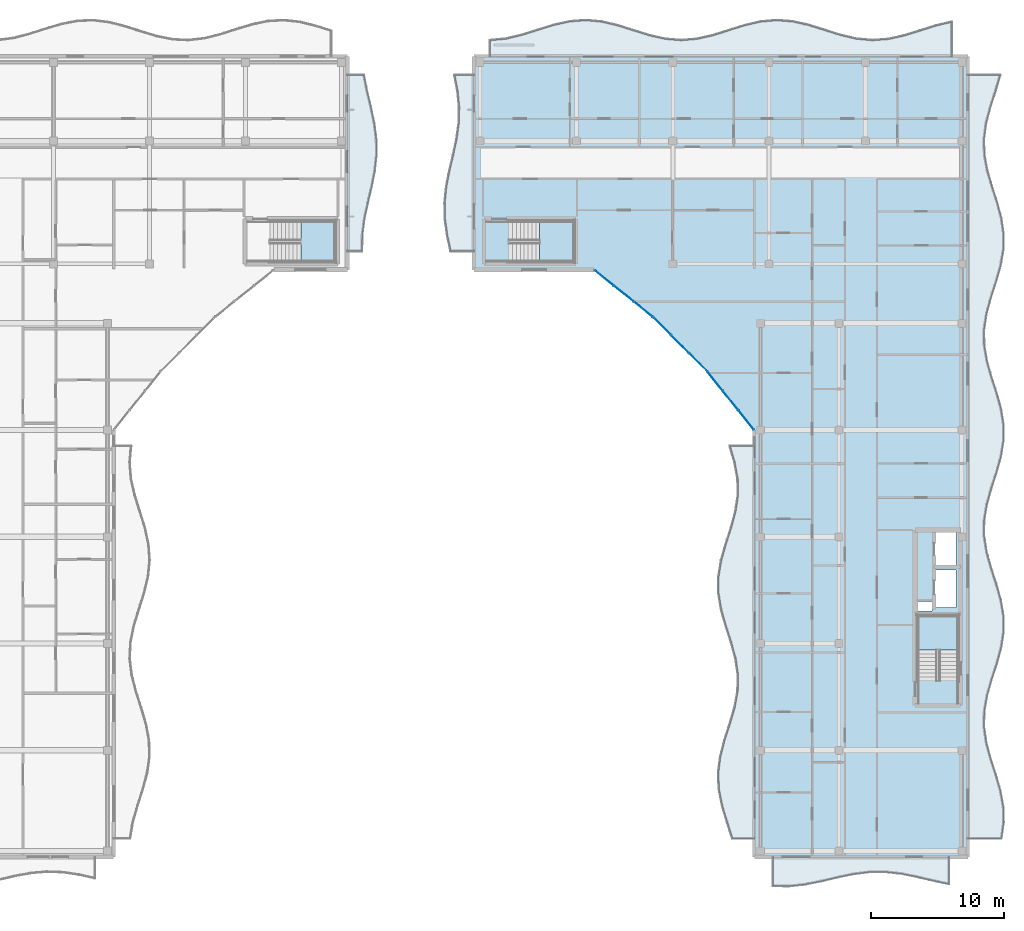
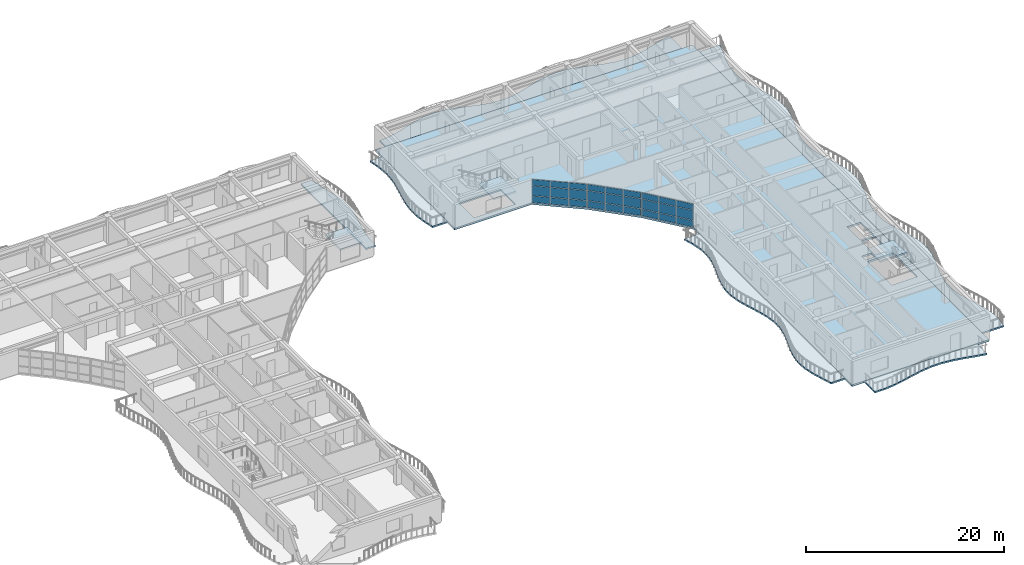
# One storey, part 29 of 76: 27 plates, 10 slabs, 6 elements without a shape of their own.
"""IFC4 building model written with IfcOpenShell, lengths in metres."""

import ifcopenshell
import ifcopenshell.guid

model = None  # the IFC model being written
_history = None  # IfcOwnerHistory: only IFC2X3 demands one
_inside = {}  # id of a spatial element -> (the spatial element, [elements in it])
_under = {}  # id of a project, library or spatial element -> (it, [spatial elements below it])
_declared = {}  # id of a project -> (the project, [libraries it declares])
_typed = {}  # id of a type object -> (the type object, [elements of that type])
_made_of = {}  # id of a material, layer set ... -> (it, [elements and type objects made of it])


def new_model(schema):
    """Start an empty IFC model of exactly this schema.

    Asked for "IFC4X3", IfcOpenShell would pick the latest addendum, in which some entities
    have other attributes; the version numbers below select the first issue.
    IFC2X3 requires an IfcOwnerHistory on every rooted entity: one is made here for all.
    """
    global model, _history
    if schema == "IFC4X3":
        model = ifcopenshell.file(schema_version=(4, 3, 0, 0))
    else:
        model = ifcopenshell.file(schema=schema)
    _inside.clear()
    _under.clear()
    _declared.clear()
    _typed.clear()
    _made_of.clear()
    _history = None
    if model.schema == "IFC2X3":
        org = make("IfcOrganization", Name="unknown")
        user = make(
            "IfcPersonAndOrganization",
            ThePerson=make("IfcPerson", FamilyName="unknown"),
            TheOrganization=org,
        )
        app = make(
            "IfcApplication",
            ApplicationDeveloper=org,
            Version="unknown",
            ApplicationFullName="unknown",
            ApplicationIdentifier="unknown",
        )
        _history = make(
            "IfcOwnerHistory",
            OwningUser=user,
            OwningApplication=app,
            ChangeAction="ADDED",
            CreationDate=0,
        )
    return model


def make(cls, **values):
    """One entity of the class cls with the attributes given. An attribute that is None is left unset."""
    return model.create_entity(
        cls, **{name: value for name, value in values.items() if value is not None}
    )


def rooted(cls, **values):
    """An entity with a GlobalId (a new one), such as an element, a storey or a relation."""
    return make(cls, GlobalId=ifcopenshell.guid.new(), OwnerHistory=_history, **values)


def si_unit(unit_type, name, prefix=None):
    """IfcSIUnit, for example si_unit("LENGTHUNIT", "METRE", prefix="MILLI")."""
    return make("IfcSIUnit", UnitType=unit_type, Prefix=prefix, Name=name)


def assignment(units):
    """IfcUnitAssignment: the units of a project."""
    return None if units is None else make("IfcUnitAssignment", Units=units)


def point(xyz):
    """IfcCartesianPoint."""
    return None if xyz is None else make("IfcCartesianPoint", Coordinates=xyz)


def direction(xyz):
    """IfcDirection."""
    return None if xyz is None else make("IfcDirection", DirectionRatios=xyz)


def frame(location, z_axis=None, x_axis=None):
    """IfcAxis2Placement3D, a coordinate frame: its origin and axes. An axis left out is left unset."""
    return make(
        "IfcAxis2Placement3D",
        Location=point(location),
        Axis=direction(z_axis),
        RefDirection=direction(x_axis),
    )


def frame_2d(location, x_axis=None):
    """IfcAxis2Placement2D, a coordinate frame in the plane: its origin and x axis."""
    return make(
        "IfcAxis2Placement2D", Location=point(location), RefDirection=direction(x_axis)
    )


def origin():
    """The frame at (0, 0, 0) with its axes left unset."""
    return frame((0.0, 0.0, 0.0))


def origin_2d():
    """The frame at (0, 0) in the plane with its x axis left unset."""
    return frame_2d((0.0, 0.0))


def place(relative_to, where):
    """IfcLocalPlacement: puts the frame where relative to a parent placement (None: the world)."""
    return make(
        "IfcLocalPlacement", PlacementRelTo=relative_to, RelativePlacement=where
    )


def context(
    kind, dimensions, precision=None, world=None, true_north=None, identifier=None
):
    """IfcGeometricRepresentationContext, for example the 3D "Model" context."""
    return make(
        "IfcGeometricRepresentationContext",
        ContextIdentifier=identifier,
        ContextType=kind,
        CoordinateSpaceDimension=dimensions,
        Precision=precision,
        WorldCoordinateSystem=world,
        TrueNorth=true_north,
    )


def subcontext(parent, identifier, kind, view, scale=None):
    """IfcGeometricRepresentationSubContext, for example "Body" below "Model"."""
    return make(
        "IfcGeometricRepresentationSubContext",
        ContextIdentifier=identifier,
        ContextType=kind,
        ParentContext=parent,
        TargetScale=scale,
        TargetView=view,
    )


def project(units=None, contexts=None):
    """IfcProject with its units and contexts."""
    return rooted(
        "IfcProject",
        Name="project",
        RepresentationContexts=contexts,
        UnitsInContext=assignment(units),
    )


def spatial(cls, under=None, at=None, **own):
    """A site, building, storey or space (cls), placed at a placement, below another one or the project."""
    s = rooted(cls, ObjectPlacement=at, **own)
    if under is not None:
        _under.setdefault(under.id(), (under, []))[1].append(s)
    return s


def polyline(points):
    """IfcPolyline through the points."""
    return make("IfcPolyline", Points=[point(p) for p in points])


def profile(cls, at=None, kind="AREA", **sizes):
    """A parametric profile (cls). Its sizes go by their IFC names, for example OverallWidth=200.0."""
    return make(cls, ProfileType=kind, Position=at, **sizes)


def rectangle(**sizes):
    """IfcRectangleProfileDef."""
    return profile("IfcRectangleProfileDef", **sizes)


def outline(outer, holes=None, kind="AREA"):
    """IfcArbitraryClosedProfileDef: a profile drawn as a closed curve; with holes, ...WithVoids."""
    if holes is None:
        return make("IfcArbitraryClosedProfileDef", ProfileType=kind, OuterCurve=outer)
    return make(
        "IfcArbitraryProfileDefWithVoids",
        ProfileType=kind,
        OuterCurve=outer,
        InnerCurves=holes,
    )


def extrude(swept, where, along, depth):
    """IfcExtrudedAreaSolid: the profile swept, set in the frame where, extruded along a direction by depth."""
    return make(
        "IfcExtrudedAreaSolid",
        SweptArea=swept,
        Position=where,
        ExtrudedDirection=direction(along),
        Depth=depth,
    )


def shape(context_of_items, identifier, shape_type, items):
    """IfcShapeRepresentation: the items that make up one representation, for example the "Body"."""
    return make(
        "IfcShapeRepresentation",
        ContextOfItems=context_of_items,
        RepresentationIdentifier=identifier,
        RepresentationType=shape_type,
        Items=items,
    )


def material(Name=None, Category=None):
    """IfcMaterial."""
    return make("IfcMaterial", Name=Name, Category=Category)


def layer(
    of_material, thickness, ventilated=None, Name=None, Category=None, Priority=None
):
    """IfcMaterialLayer: one layer of a wall or slab, of a material (None: an air gap)."""
    return make(
        "IfcMaterialLayer",
        Material=of_material,
        LayerThickness=thickness,
        IsVentilated=ventilated,
        Name=Name,
        Category=Category,
        Priority=Priority,
    )


def layer_set(layers, Name=None):
    """IfcMaterialLayerSet."""
    return make("IfcMaterialLayerSet", MaterialLayers=layers, LayerSetName=Name)


def made_of(thing, what):
    """Note that an element or type object is made of a material, layer set ...; save() writes the relation."""
    if what is not None:
        _made_of.setdefault(what.id(), (what, []))[1].append(thing)
    return thing


def type_object(cls, material=None, **own):
    """A type object (cls), such as IfcWallType, which elements share."""
    return made_of(rooted(cls, **own), material)


def element(
    cls,
    number,
    at=None,
    inside=None,
    cuts=None,
    type_object=None,
    material=None,
    context=None,
    identifier="Body",
    shape_type=None,
    held_by="IfcProductDefinitionShape",
    body=None,
    shapes=None,
    **own,
):
    """One element of the class cls, such as IfcWall. Its Tag is "e" and its number.

    at: its placement. inside: the storey or other place that contains it. cuts: it is an
    opening in that element (IfcRelVoidsElement). A single representation is given by context,
    identifier, shape_type and body (its items); several are given by shapes. held_by: the class
    of the entity that holds the representations. save() writes the other relations.
    """
    e = rooted(cls, Tag="e%d" % number, ObjectPlacement=at, **own)
    if body is not None:
        shapes = [shape(context, identifier, shape_type, body)]
    if shapes is not None:
        e.Representation = make(held_by, Representations=shapes)
    if inside is not None:
        _inside.setdefault(inside.id(), (inside, []))[1].append(e)
    if cuts is not None:
        rooted(
            "IfcRelVoidsElement", RelatingBuildingElement=cuts, RelatedOpeningElement=e
        )
    if type_object is not None:
        _typed.setdefault(type_object.id(), (type_object, []))[1].append(e)
    return made_of(e, material)


def aggregate(whole, parts):
    """IfcRelAggregates: a whole, such as a stair, and the parts it consists of."""
    return rooted("IfcRelAggregates", RelatingObject=whole, RelatedObjects=parts)


def save(model, path):
    """Write the relations noted so far, then the file.

    IfcRelAggregates (storeys below a building ...), IfcRelContainedInSpatialStructure (elements
    in a storey), IfcRelDefinesByType, IfcRelAssociatesMaterial and IfcRelDeclares: one each for
    every whole, place, type object, material and project.
    """
    for whole, parts in _under.values():
        aggregate(whole, parts)
    for where, things in _inside.values():
        rooted(
            "IfcRelContainedInSpatialStructure",
            RelatedElements=things,
            RelatingStructure=where,
        )
    for kind, things in _typed.values():
        rooted("IfcRelDefinesByType", RelatedObjects=things, RelatingType=kind)
    for what, things in _made_of.values():
        rooted("IfcRelAssociatesMaterial", RelatedObjects=things, RelatingMaterial=what)
    for by, libraries in _declared.values():
        rooted("IfcRelDeclares", RelatingContext=by, RelatedDefinitions=libraries)
    model.write(path)


model = new_model("IFC4")

# Units and contexts
model_context = context("Model", 3, precision=1e-05, world=origin(), true_north=direction((0.0, 1.0)))
body_context = subcontext(model_context, "Body", "Model", "MODEL_VIEW")
ifc_project = project(units=[si_unit("LENGTHUNIT", "METRE"), si_unit("AREAUNIT", "SQUARE_METRE"), si_unit("VOLUMEUNIT", "CUBIC_METRE"), si_unit("PLANEANGLEUNIT", "RADIAN"), si_unit("MASSUNIT", "GRAM", prefix="KILO")], contexts=[model_context])

# Site, building, storey
site_placement = place(None, origin())
site = spatial("IfcSite", under=ifc_project, at=site_placement, CompositionType="ELEMENT")
building_placement = place(site_placement, origin())
building = spatial("IfcBuilding", under=site, at=building_placement, Name="Keldmere Railside Commons", CompositionType="ELEMENT")
storey_placement = place(building_placement, frame((0.0, 0.0, 13.760009765625)))
storey = spatial("IfcBuildingStorey", under=building, at=storey_placement, Name="L04", CompositionType="ELEMENT", Elevation=13.760009765625)

# Stair, slab
ifc_material_1 = material(Name="Concrete H-30 (C30/37)", Category="concrete")
stair_type_1 = type_object("IfcStairType", Name="Basement Garage Dogleg Escape Stair 1450", PredefinedType="HALF_TURN_STAIR", material=ifc_material_1)
stair_1_placement = place(storey_placement, origin())
stair_1 = element("IfcStair", 1, at=stair_1_placement, inside=storey, type_object=stair_type_1, Name="L04 Block B Secondary Escape Stair 2", PredefinedType="HALF_TURN_STAIR")
ifc_layer_1 = layer(ifc_material_1, 0.199951171875, Name="Enclosed Stair Landing Slab 200")
ifc_layer_set_1 = layer_set([ifc_layer_1], Name="Concrete H-30 (C30/37)")
slab_type_1 = type_object("IfcSlabType", Name="Enclosed Stair Landing Slab 200", PredefinedType="LANDING", material=ifc_layer_set_1)
slab_1_placement = place(storey_placement, frame((0.0, 0.0, 1.39990234375)))
slab_1 = element("IfcSlab", 2, at=slab_1_placement, type_object=slab_type_1, Name="ST-B2 landing 1", PredefinedType="LANDING", context=body_context, shape_type="SweptSolid", body=[
    extrude(outline(polyline([(134.02001953125, 100.60009765625), (136.60009765625, 100.60009765625), (136.60009765625, 103.64990234375), (134.02001953125, 103.64990234375), (134.02001953125, 100.60009765625)])), origin(), (0.0, 0.0, 1.0), 0.2001953125),
])
aggregate(stair_1, [slab_1])

stair_type_2 = type_object("IfcStairType", Name="Residential Core Dogleg Stair 1450", PredefinedType="HALF_TURN_STAIR", material=ifc_material_1)
stair_2_placement = place(storey_placement, origin())
stair_2 = element("IfcStair", 3, at=stair_2_placement, inside=storey, type_object=stair_type_2, Name="L04 Block A Primary Escape Stair 1", PredefinedType="HALF_TURN_STAIR")
slab_2_placement = place(storey_placement, frame((0.0, 0.0, 1.39990234375)))
slab_2 = element("IfcSlab", 4, at=slab_2_placement, type_object=slab_type_1, Name="ST-A1 landing 1", PredefinedType="LANDING", context=body_context, shape_type="SweptSolid", body=[
    extrude(outline(polyline([(183.300048828125, 71.52001953125), (183.300048828125, 74.10009765625), (180.25, 74.10009765625), (180.25, 71.52001953125), (183.300048828125, 71.52001953125)])), origin(), (0.0, 0.0, 1.0), 0.2001953125),
])
aggregate(stair_2, [slab_2])

stair_3_placement = place(storey_placement, origin())
stair_3 = element("IfcStair", 5, at=stair_3_placement, inside=storey, type_object=stair_type_2, Name="L04 Block A Secondary Escape Stair 2", PredefinedType="HALF_TURN_STAIR")
slab_3_placement = place(storey_placement, frame((0.0, 0.0, 1.39990234375)))
slab_3 = element("IfcSlab", 6, at=slab_3_placement, type_object=slab_type_1, Name="ST-A2 landing 1", PredefinedType="LANDING", context=body_context, shape_type="SweptSolid", body=[
    extrude(outline(polyline([(151.919921875, 100.60009765625), (154.5, 100.60009765625), (154.5, 103.64990234375), (151.919921875, 103.64990234375), (151.919921875, 100.60009765625)])), origin(), (0.0, 0.0, 1.0), 0.2001953125),
])
aggregate(stair_3, [slab_3])

# Curtain wall, plates
ifc_material_2 = material(Name="Thermally Broken Aluminium", Category="aluminium")
ifc_layer_2 = layer(ifc_material_2, 0.159912109375, Name="Court Chord Wintergarden CW 4800x2850")
ifc_layer_set_2 = layer_set([ifc_layer_2], Name="Thermally Broken Aluminium")
curtain_wall_type_1 = type_object("IfcCurtainWallType", Name="Court Chord Wintergarden CW 4800x2850", PredefinedType="NOTDEFINED", material=ifc_layer_set_2)
curtain_wall_1_placement = place(storey_placement, origin())
curtain_wall_1 = element("IfcCurtainWall", 7, at=curtain_wall_1_placement, inside=storey, type_object=curtain_wall_type_1, Name="CW-12 CW-L04-170", PredefinedType="NOTDEFINED")
ifc_material_3 = material(Name="Insulated Aluminium Spandrel Panel", Category="aluminium")
ifc_layer_3 = layer(ifc_material_3, 0.0439453125, Name="Insulated Ocher Spandrel Panel 44")
ifc_layer_set_3 = layer_set([ifc_layer_3], Name="Insulated Aluminium Spandrel Panel")
plate_type_1 = type_object("IfcPlateType", Name="Insulated Ocher Spandrel Panel 44", PredefinedType="CURTAIN_PANEL", material=ifc_layer_set_3)
plate_1_placement = place(storey_placement, frame((163.76513671875, 93.11083984375, 0.06494140625), z_axis=(0.0, 0.0, 1.0), x_axis=(-0.707106781187, 0.707106781187, 0.0)))
plate_1 = element("IfcPlate", 8, at=plate_1_placement, type_object=plate_type_1, Name="CW-12 panel 1.1", PredefinedType="CURTAIN_PANEL", context=body_context, shape_type="SweptSolid", body=[
    extrude(rectangle(XDim=1.795654296875, YDim=0.0439453125, at=origin_2d()), origin(), (0.0, 0.0, 1.0), 0.802490234375),
])
plate_2_placement = place(storey_placement, frame((163.76513671875, 93.11083984375, 0.932373046875), z_axis=(0.0, 0.0, 1.0), x_axis=(-0.707106781187, 0.707106781187, 0.0)))
plate_2 = element("IfcPlate", 9, at=plate_2_placement, type_object=plate_type_1, Name="CW-12 panel 1.2", PredefinedType="CURTAIN_PANEL", context=body_context, shape_type="SweptSolid", body=[
    extrude(rectangle(XDim=1.795654296875, YDim=0.0439453125, at=origin_2d()), origin(), (0.0, 0.0, 1.0), 1.18505859375),
])
plate_3_placement = place(storey_placement, frame((163.76513671875, 93.11083984375, 2.1826171875), z_axis=(0.0, 0.0, 1.0), x_axis=(-0.707106781187, 0.707106781187, 0.0)))
plate_3 = element("IfcPlate", 10, at=plate_3_placement, type_object=plate_type_1, Name="CW-12 panel 1.3", PredefinedType="CURTAIN_PANEL", context=body_context, shape_type="SweptSolid", body=[
    extrude(rectangle(XDim=1.795654296875, YDim=0.0439453125, at=origin_2d()), origin(), (0.0, 0.0, 1.0), 0.732421875),
])
plate_4_placement = place(storey_placement, frame((162.43798828125, 94.43798828125, 0.06494140625), z_axis=(0.0, 0.0, 1.0), x_axis=(-0.707106781187, 0.707106781187, 0.0)))
plate_4 = element("IfcPlate", 11, at=plate_4_placement, type_object=plate_type_1, Name="CW-12 panel 2.1", PredefinedType="CURTAIN_PANEL", context=body_context, shape_type="SweptSolid", body=[
    extrude(rectangle(XDim=1.828125, YDim=0.0439453125, at=origin_2d()), origin(), (0.0, 0.0, 1.0), 0.802490234375),
])
plate_5_placement = place(storey_placement, frame((162.43798828125, 94.43798828125, 0.932373046875), z_axis=(0.0, 0.0, 1.0), x_axis=(-0.707106781187, 0.707106781187, 0.0)))
plate_5 = element("IfcPlate", 12, at=plate_5_placement, type_object=plate_type_1, Name="CW-12 panel 2.2", PredefinedType="CURTAIN_PANEL", context=body_context, shape_type="SweptSolid", body=[
    extrude(rectangle(XDim=1.828125, YDim=0.0439453125, at=origin_2d()), origin(), (0.0, 0.0, 1.0), 1.18505859375),
])
plate_6_placement = place(storey_placement, frame((162.43798828125, 94.43798828125, 2.1826171875), z_axis=(0.0, 0.0, 1.0), x_axis=(-0.707106781187, 0.707106781187, 0.0)))
plate_6 = element("IfcPlate", 13, at=plate_6_placement, type_object=plate_type_1, Name="CW-12 panel 2.3", PredefinedType="CURTAIN_PANEL", context=body_context, shape_type="SweptSolid", body=[
    extrude(rectangle(XDim=1.828125, YDim=0.0439453125, at=origin_2d()), origin(), (0.0, 0.0, 1.0), 0.732421875),
])
plate_7_placement = place(storey_placement, frame((161.11083984375, 95.76513671875, 0.06494140625), z_axis=(0.0, 0.0, 1.0), x_axis=(-0.707106781187, 0.707106781187, 0.0)))
plate_7 = element("IfcPlate", 14, at=plate_7_placement, type_object=plate_type_1, Name="CW-12 panel 3.1", PredefinedType="CURTAIN_PANEL", context=body_context, shape_type="SweptSolid", body=[
    extrude(rectangle(XDim=1.795654296875, YDim=0.0439453125, at=origin_2d()), origin(), (0.0, 0.0, 1.0), 0.802490234375),
])
plate_8_placement = place(storey_placement, frame((161.11083984375, 95.76513671875, 0.932373046875), z_axis=(0.0, 0.0, 1.0), x_axis=(-0.707106781187, 0.707106781187, 0.0)))
plate_8 = element("IfcPlate", 15, at=plate_8_placement, type_object=plate_type_1, Name="CW-12 panel 3.2", PredefinedType="CURTAIN_PANEL", context=body_context, shape_type="SweptSolid", body=[
    extrude(rectangle(XDim=1.795654296875, YDim=0.0439453125, at=origin_2d()), origin(), (0.0, 0.0, 1.0), 1.18505859375),
])
plate_9_placement = place(storey_placement, frame((161.11083984375, 95.76513671875, 2.1826171875), z_axis=(0.0, 0.0, 1.0), x_axis=(-0.707106781187, 0.707106781187, 0.0)))
plate_9 = element("IfcPlate", 16, at=plate_9_placement, type_object=plate_type_1, Name="CW-12 panel 3.3", PredefinedType="CURTAIN_PANEL", context=body_context, shape_type="SweptSolid", body=[
    extrude(rectangle(XDim=1.795654296875, YDim=0.0439453125, at=origin_2d()), origin(), (0.0, 0.0, 1.0), 0.732421875),
])
aggregate(curtain_wall_1, [plate_1, plate_2, plate_3, plate_4, plate_5, plate_6, plate_7, plate_8, plate_9])

ifc_layer_4 = layer(ifc_material_2, 0.159912109375, Name="Court Chord Wintergarden CW 5400x2850")
ifc_layer_set_4 = layer_set([ifc_layer_4], Name="Thermally Broken Aluminium")
curtain_wall_type_2 = type_object("IfcCurtainWallType", Name="Court Chord Wintergarden CW 5400x2850", PredefinedType="NOTDEFINED", material=ifc_layer_set_4)
curtain_wall_2_placement = place(storey_placement, origin())
curtain_wall_2 = element("IfcCurtainWall", 17, at=curtain_wall_2_placement, inside=storey, type_object=curtain_wall_type_2, Name="CW-13 CW-L04-169", PredefinedType="NOTDEFINED")
ifc_layer_5 = layer(ifc_material_3, 0.050048828125, Name="Insulated Terracotta Spandrel Panel 50")
ifc_layer_set_5 = layer_set([ifc_layer_5], Name="Insulated Aluminium Spandrel Panel")
plate_type_2 = type_object("IfcPlateType", Name="Insulated Terracotta Spandrel Panel 50", PredefinedType="CURTAIN_PANEL", material=ifc_layer_set_5)
plate_10_placement = place(storey_placement, frame((159.678955078125, 97.048583984375, 0.06494140625), z_axis=(0.0, 0.0, 1.0), x_axis=(-0.780009172323, 0.625768080915, 0.0)))
plate_10 = element("IfcPlate", 18, at=plate_10_placement, type_object=plate_type_2, Name="CW-13 panel 1.1", PredefinedType="CURTAIN_PANEL", context=body_context, shape_type="SweptSolid", body=[
    extrude(rectangle(XDim=1.795654296875, YDim=0.050048828125, at=origin_2d()), origin(), (0.0, 0.0, 1.0), 0.802490234375),
])
plate_11_placement = place(storey_placement, frame((159.678955078125, 97.048583984375, 0.932373046875), z_axis=(0.0, 0.0, 1.0), x_axis=(-0.780009172323, 0.625768080915, 0.0)))
plate_11 = element("IfcPlate", 19, at=plate_11_placement, type_object=plate_type_2, Name="CW-13 panel 1.2", PredefinedType="CURTAIN_PANEL", context=body_context, shape_type="SweptSolid", body=[
    extrude(rectangle(XDim=1.795654296875, YDim=0.050048828125, at=origin_2d()), origin(), (0.0, 0.0, 1.0), 1.18505859375),
])
plate_12_placement = place(storey_placement, frame((159.678955078125, 97.048583984375, 2.1826171875), z_axis=(0.0, 0.0, 1.0), x_axis=(-0.780009172323, 0.625768080915, 0.0)))
plate_12 = element("IfcPlate", 20, at=plate_12_placement, type_object=plate_type_2, Name="CW-13 panel 1.3", PredefinedType="CURTAIN_PANEL", context=body_context, shape_type="SweptSolid", body=[
    extrude(rectangle(XDim=1.795654296875, YDim=0.050048828125, at=origin_2d()), origin(), (0.0, 0.0, 1.0), 0.732421875),
])
plate_13_placement = place(storey_placement, frame((158.215087890625, 98.222900390625, 0.06494140625), z_axis=(0.0, 0.0, 1.0), x_axis=(-0.780009172323, 0.625768080915, 0.0)))
plate_13 = element("IfcPlate", 21, at=plate_13_placement, type_object=plate_type_2, Name="CW-13 panel 2.1", PredefinedType="CURTAIN_PANEL", context=body_context, shape_type="SweptSolid", body=[
    extrude(rectangle(XDim=1.828125, YDim=0.050048828125, at=origin_2d()), origin(), (0.0, 0.0, 1.0), 0.802490234375),
])
plate_14_placement = place(storey_placement, frame((158.215087890625, 98.222900390625, 0.932373046875), z_axis=(0.0, 0.0, 1.0), x_axis=(-0.780009172323, 0.625768080915, 0.0)))
plate_14 = element("IfcPlate", 22, at=plate_14_placement, type_object=plate_type_2, Name="CW-13 panel 2.2", PredefinedType="CURTAIN_PANEL", context=body_context, shape_type="SweptSolid", body=[
    extrude(rectangle(XDim=1.828125, YDim=0.050048828125, at=origin_2d()), origin(), (0.0, 0.0, 1.0), 1.18505859375),
])
plate_15_placement = place(storey_placement, frame((158.215087890625, 98.222900390625, 2.1826171875), z_axis=(0.0, 0.0, 1.0), x_axis=(-0.780009172323, 0.625768080915, 0.0)))
plate_15 = element("IfcPlate", 23, at=plate_15_placement, type_object=plate_type_2, Name="CW-13 panel 2.3", PredefinedType="CURTAIN_PANEL", context=body_context, shape_type="SweptSolid", body=[
    extrude(rectangle(XDim=1.828125, YDim=0.050048828125, at=origin_2d()), origin(), (0.0, 0.0, 1.0), 0.732421875),
])
plate_16_placement = place(storey_placement, frame((156.7509765625, 99.3974609375, 0.06494140625), z_axis=(0.0, 0.0, 1.0), x_axis=(-0.780009172323, 0.625768080915, 0.0)))
plate_16 = element("IfcPlate", 24, at=plate_16_placement, type_object=plate_type_2, Name="CW-13 panel 3.1", PredefinedType="CURTAIN_PANEL", context=body_context, shape_type="SweptSolid", body=[
    extrude(rectangle(XDim=1.795654296875, YDim=0.050048828125, at=origin_2d()), origin(), (0.0, 0.0, 1.0), 0.802490234375),
])
plate_17_placement = place(storey_placement, frame((156.7509765625, 99.3974609375, 0.932373046875), z_axis=(0.0, 0.0, 1.0), x_axis=(-0.780009172323, 0.625768080915, 0.0)))
plate_17 = element("IfcPlate", 25, at=plate_17_placement, type_object=plate_type_2, Name="CW-13 panel 3.2", PredefinedType="CURTAIN_PANEL", context=body_context, shape_type="SweptSolid", body=[
    extrude(rectangle(XDim=1.795654296875, YDim=0.050048828125, at=origin_2d()), origin(), (0.0, 0.0, 1.0), 1.18505859375),
])
plate_18_placement = place(storey_placement, frame((156.7509765625, 99.3974609375, 2.1826171875), z_axis=(0.0, 0.0, 1.0), x_axis=(-0.780009172323, 0.625768080915, 0.0)))
plate_18 = element("IfcPlate", 26, at=plate_18_placement, type_object=plate_type_2, Name="CW-13 panel 3.3", PredefinedType="CURTAIN_PANEL", context=body_context, shape_type="SweptSolid", body=[
    extrude(rectangle(XDim=1.795654296875, YDim=0.050048828125, at=origin_2d()), origin(), (0.0, 0.0, 1.0), 0.732421875),
])
aggregate(curtain_wall_2, [plate_10, plate_11, plate_12, plate_13, plate_14, plate_15, plate_16, plate_17, plate_18])

curtain_wall_3_placement = place(storey_placement, origin())
curtain_wall_3 = element("IfcCurtainWall", 27, at=curtain_wall_3_placement, inside=storey, type_object=curtain_wall_type_2, Name="CW-13 CW-L04-171", PredefinedType="NOTDEFINED")
plate_19_placement = place(storey_placement, frame((167.3974609375, 88.7509765625, 0.06494140625), z_axis=(0.0, 0.0, 1.0), x_axis=(-0.625768080915, 0.780009172323, 0.0)))
plate_19 = element("IfcPlate", 28, at=plate_19_placement, type_object=plate_type_2, Name="CW-13 panel 1.1", PredefinedType="CURTAIN_PANEL", context=body_context, shape_type="SweptSolid", body=[
    extrude(rectangle(XDim=1.795654296875, YDim=0.050048828125, at=origin_2d()), origin(), (0.0, 0.0, 1.0), 0.802490234375),
])
plate_20_placement = place(storey_placement, frame((167.3974609375, 88.7509765625, 0.932373046875), z_axis=(0.0, 0.0, 1.0), x_axis=(-0.625768080915, 0.780009172323, 0.0)))
plate_20 = element("IfcPlate", 29, at=plate_20_placement, type_object=plate_type_2, Name="CW-13 panel 1.2", PredefinedType="CURTAIN_PANEL", context=body_context, shape_type="SweptSolid", body=[
    extrude(rectangle(XDim=1.795654296875, YDim=0.050048828125, at=origin_2d()), origin(), (0.0, 0.0, 1.0), 1.18505859375),
])
plate_21_placement = place(storey_placement, frame((167.3974609375, 88.7509765625, 2.1826171875), z_axis=(0.0, 0.0, 1.0), x_axis=(-0.625768080915, 0.780009172323, 0.0)))
plate_21 = element("IfcPlate", 30, at=plate_21_placement, type_object=plate_type_2, Name="CW-13 panel 1.3", PredefinedType="CURTAIN_PANEL", context=body_context, shape_type="SweptSolid", body=[
    extrude(rectangle(XDim=1.795654296875, YDim=0.050048828125, at=origin_2d()), origin(), (0.0, 0.0, 1.0), 0.732421875),
])
plate_22_placement = place(storey_placement, frame((166.222900390625, 90.215087890625, 0.06494140625), z_axis=(0.0, 0.0, 1.0), x_axis=(-0.625768080915, 0.780009172323, 0.0)))
plate_22 = element("IfcPlate", 31, at=plate_22_placement, type_object=plate_type_2, Name="CW-13 panel 2.1", PredefinedType="CURTAIN_PANEL", context=body_context, shape_type="SweptSolid", body=[
    extrude(rectangle(XDim=1.828125, YDim=0.050048828125, at=origin_2d()), origin(), (0.0, 0.0, 1.0), 0.802490234375),
])
plate_23_placement = place(storey_placement, frame((166.222900390625, 90.215087890625, 0.932373046875), z_axis=(0.0, 0.0, 1.0), x_axis=(-0.625768080915, 0.780009172323, 0.0)))
plate_23 = element("IfcPlate", 32, at=plate_23_placement, type_object=plate_type_2, Name="CW-13 panel 2.2", PredefinedType="CURTAIN_PANEL", context=body_context, shape_type="SweptSolid", body=[
    extrude(rectangle(XDim=1.828125, YDim=0.050048828125, at=origin_2d()), origin(), (0.0, 0.0, 1.0), 1.18505859375),
])
plate_24_placement = place(storey_placement, frame((166.222900390625, 90.215087890625, 2.1826171875), z_axis=(0.0, 0.0, 1.0), x_axis=(-0.625768080915, 0.780009172323, 0.0)))
plate_24 = element("IfcPlate", 33, at=plate_24_placement, type_object=plate_type_2, Name="CW-13 panel 2.3", PredefinedType="CURTAIN_PANEL", context=body_context, shape_type="SweptSolid", body=[
    extrude(rectangle(XDim=1.828125, YDim=0.050048828125, at=origin_2d()), origin(), (0.0, 0.0, 1.0), 0.732421875),
])
plate_25_placement = place(storey_placement, frame((165.048583984375, 91.678955078125, 0.06494140625), z_axis=(0.0, 0.0, 1.0), x_axis=(-0.625768080915, 0.780009172323, 0.0)))
plate_25 = element("IfcPlate", 34, at=plate_25_placement, type_object=plate_type_2, Name="CW-13 panel 3.1", PredefinedType="CURTAIN_PANEL", context=body_context, shape_type="SweptSolid", body=[
    extrude(rectangle(XDim=1.795654296875, YDim=0.050048828125, at=origin_2d()), origin(), (0.0, 0.0, 1.0), 0.802490234375),
])
plate_26_placement = place(storey_placement, frame((165.048583984375, 91.678955078125, 0.932373046875), z_axis=(0.0, 0.0, 1.0), x_axis=(-0.625768080915, 0.780009172323, 0.0)))
plate_26 = element("IfcPlate", 35, at=plate_26_placement, type_object=plate_type_2, Name="CW-13 panel 3.2", PredefinedType="CURTAIN_PANEL", context=body_context, shape_type="SweptSolid", body=[
    extrude(rectangle(XDim=1.795654296875, YDim=0.050048828125, at=origin_2d()), origin(), (0.0, 0.0, 1.0), 1.18505859375),
])
plate_27_placement = place(storey_placement, frame((165.048583984375, 91.678955078125, 2.1826171875), z_axis=(0.0, 0.0, 1.0), x_axis=(-0.625768080915, 0.780009172323, 0.0)))
plate_27 = element("IfcPlate", 36, at=plate_27_placement, type_object=plate_type_2, Name="CW-13 panel 3.3", PredefinedType="CURTAIN_PANEL", context=body_context, shape_type="SweptSolid", body=[
    extrude(rectangle(XDim=1.795654296875, YDim=0.050048828125, at=origin_2d()), origin(), (0.0, 0.0, 1.0), 0.732421875),
])
aggregate(curtain_wall_3, [plate_19, plate_20, plate_21, plate_22, plate_23, plate_24, plate_25, plate_26, plate_27])

# Slabs
ifc_layer_6 = layer(ifc_material_1, 0.219970703125, Name="Residential Flat Slab 220")
ifc_layer_set_6 = layer_set([ifc_layer_6], Name="Concrete H-30 (C30/37)")
slab_type_2 = type_object("IfcSlabType", Name="Residential Flat Slab 220", PredefinedType="FLOOR", material=ifc_layer_set_6)
slab_4_placement = place(storey_placement, frame((0.0, 0.0, -0.219970703125)))
element("IfcSlab", 37, at=slab_4_placement, inside=storey, type_object=slab_type_2, Name="FS-2 BLKA-L04-057", PredefinedType="FLOOR", context=body_context, shape_type="SweptSolid", body=[
    extrude(outline(polyline([(168.0, 56.0), (184.0, 56.0), (184.0, 116.0), (147.0, 116.0), (147.0, 100.0), (156.0, 100.0), (160.429931640625, 96.446044921875), (164.446044921875, 92.429931640625), (168.0, 88.0), (168.0, 56.0)]), holes=[polyline([(183.27490234375, 69.22509765625), (180.27490234375, 69.22509765625), (180.27490234375, 74.074951171875), (183.27490234375, 74.074951171875), (183.27490234375, 69.22509765625)]), polyline([(180.219970703125, 74.419921875), (180.219970703125, 75.159912109375), (181.320068359375, 75.159912109375), (181.320068359375, 74.419921875), (180.219970703125, 74.419921875)]), polyline([(183.10009765625, 74.699951171875), (181.5, 74.699951171875), (181.5, 77.5), (183.10009765625, 77.5), (183.10009765625, 74.699951171875)]), polyline([(183.10009765625, 77.75), (181.5, 77.75), (181.5, 80.39990234375), (183.10009765625, 80.39990234375), (183.10009765625, 77.75)]), polyline([(149.625, 103.625), (154.47509765625, 103.625), (154.47509765625, 100.625), (149.625, 100.625), (149.625, 103.625)])]), origin(), (0.0, 0.0, 1.0), 0.219970703125),
])
ifc_material_4 = material(Name="White Precast Concrete H-35 (C35/45)", Category="concrete")
ifc_layer_7 = layer(ifc_material_4, 0.179931640625, Name="Sinusoidal Wave Balcony Slab 180")
ifc_layer_set_7 = layer_set([ifc_layer_7], Name="White Precast Concrete H-35 (C35/45)")
slab_type_3 = type_object("IfcSlabType", Name="Sinusoidal Wave Balcony Slab 180", PredefinedType="FLOOR", material=ifc_layer_set_7)
slab_5_placement = place(storey_placement, frame((0.0, 0.0, -0.179931640625)))
element("IfcSlab", 38, at=slab_5_placement, inside=storey, type_object=slab_type_3, Name="WB-1 B L04 WE Wave Balcony", PredefinedType="FLOOR", context=body_context, shape_type="SweptSolid", body=[
    extrude(outline(polyline([(138.6123046875, 101.39990234375), (138.62646484375, 102.60009765625), (138.78076171875, 103.800048828125), (139.0341796875, 105.0), (139.318359375, 106.199951171875), (139.5576171875, 107.39990234375), (139.6875, 108.60009765625), (139.673583984375, 109.800048828125), (139.519287109375, 111.0), (139.265869140625, 112.199951171875), (138.981689453125, 113.39990234375), (138.742431640625, 114.60009765625), (137.5, 114.60009765625), (137.5, 113.39990234375), (137.5, 112.199951171875), (137.5, 111.0), (137.5, 109.800048828125), (137.5, 108.60009765625), (137.5, 107.39990234375), (137.5, 106.199951171875), (137.5, 105.0), (137.5, 103.800048828125), (137.5, 102.60009765625), (137.5, 101.39990234375), (138.6123046875, 101.39990234375)])), origin(), (0.0, 0.0, 1.0), 0.179931640625),
])
slab_6_placement = place(storey_placement, frame((0.0, 0.0, -0.179931640625)))
element("IfcSlab", 39, at=slab_6_placement, inside=storey, type_object=slab_type_3, Name="WB-1 A L04 N Wave Balcony", PredefinedType="FLOOR", context=body_context, shape_type="SweptSolid", body=[
    extrude(outline(polyline([(148.199951171875, 116.0), (149.39306640625, 116.0), (150.586181640625, 116.0), (151.779296875, 116.0), (152.972412109375, 116.0), (154.16552734375, 116.0), (155.358642578125, 116.0), (156.5517578125, 116.0), (157.744873046875, 116.0), (158.93798828125, 116.0), (160.131103515625, 116.0), (161.32421875, 116.0), (162.51708984375, 116.0), (163.710205078125, 116.0), (164.9033203125, 116.0), (166.0966796875, 116.0), (167.289794921875, 116.0), (168.48291015625, 116.0), (169.67578125, 116.0), (170.868896484375, 116.0), (172.06201171875, 116.0), (173.255126953125, 116.0), (174.4482421875, 116.0), (175.641357421875, 116.0), (176.83447265625, 116.0), (178.027587890625, 116.0), (179.220703125, 116.0), (180.413818359375, 116.0), (181.60693359375, 116.0), (182.800048828125, 116.0), (182.800048828125, 118.580078125), (181.60693359375, 118.294189453125), (180.413818359375, 117.917236328125), (179.220703125, 117.548828125), (178.027587890625, 117.286865234375), (176.83447265625, 117.200439453125), (175.641357421875, 117.3125), (174.4482421875, 117.59375), (173.255126953125, 117.96923828125), (172.06201171875, 118.339599609375), (170.868896484375, 118.606689453125), (169.67578125, 118.699951171875), (168.48291015625, 118.594482421875), (167.289794921875, 118.318115234375), (166.0966796875, 117.9443359375), (164.9033203125, 117.572021484375), (163.710205078125, 117.2998046875), (162.51708984375, 117.199951171875), (161.32421875, 117.298828125), (160.131103515625, 117.570068359375), (158.93798828125, 117.942138671875), (157.744873046875, 118.316162109375), (156.5517578125, 118.59326171875), (155.358642578125, 118.699951171875), (154.16552734375, 118.60791015625), (152.972412109375, 118.341552734375), (151.779296875, 117.971435546875), (150.586181640625, 117.595703125), (149.39306640625, 117.313720703125), (148.199951171875, 117.200439453125), (148.199951171875, 116.0)])), origin(), (0.0, 0.0, 1.0), 0.179931640625),
])
slab_7_placement = place(storey_placement, frame((0.0, 0.0, -0.179931640625)))
element("IfcSlab", 40, at=slab_7_placement, inside=storey, type_object=slab_type_3, Name="WB-1 A L04 CW Wave Balcony", PredefinedType="FLOOR", context=body_context, shape_type="SweptSolid", body=[
    extrude(outline(polyline([(168.0, 57.39990234375), (168.0, 58.625), (168.0, 59.85009765625), (168.0, 61.074951171875), (168.0, 62.300048828125), (168.0, 63.52490234375), (168.0, 64.75), (168.0, 65.97509765625), (168.0, 67.199951171875), (168.0, 68.425048828125), (168.0, 69.64990234375), (168.0, 70.875), (168.0, 72.10009765625), (168.0, 73.324951171875), (168.0, 74.550048828125), (168.0, 75.77490234375), (168.0, 77.0), (168.0, 78.22509765625), (168.0, 79.449951171875), (168.0, 80.675048828125), (168.0, 81.89990234375), (168.0, 83.125), (168.0, 84.35009765625), (168.0, 85.574951171875), (168.0, 86.800048828125), (166.177978515625, 86.800048828125), (166.53662109375, 85.574951171875), (166.759521484375, 84.35009765625), (166.784423828125, 83.125), (166.6044921875, 81.89990234375), (166.27001953125, 80.675048828125), (165.8740234375, 79.449951171875), (165.527099609375, 78.22509765625), (165.326171875, 77.0), (165.3271484375, 75.77490234375), (165.52978515625, 74.550048828125), (165.87744140625, 73.324951171875), (166.273193359375, 72.10009765625), (166.60693359375, 70.875), (166.78515625, 69.64990234375), (166.75830078125, 68.425048828125), (166.533935546875, 67.199951171875), (166.174560546875, 65.97509765625), (165.780517578125, 64.75), (165.46142578125, 63.52490234375), (165.306640625, 62.300048828125), (165.359375, 61.074951171875), (165.6044921875, 59.85009765625), (165.97412109375, 58.625), (166.36474609375, 57.39990234375), (168.0, 57.39990234375)])), origin(), (0.0, 0.0, 1.0), 0.179931640625),
])
slab_8_placement = place(storey_placement, frame((0.0, 0.0, -0.179931640625)))
element("IfcSlab", 41, at=slab_8_placement, inside=storey, type_object=slab_type_3, Name="WB-1 A L04 CE Wave Balcony", PredefinedType="FLOOR", context=body_context, shape_type="SweptSolid", body=[
    extrude(outline(polyline([(186.521728515625, 57.39990234375), (186.687255859375, 58.591796875), (186.658203125, 59.783203125), (186.441650390625, 60.97509765625), (186.09521484375, 62.166748046875), (185.71044921875, 63.3583984375), (185.388916015625, 64.550048828125), (185.2158203125, 65.74169921875), (185.23681640625, 66.933349609375), (185.446044921875, 68.125), (185.788818359375, 69.316650390625), (186.173828125, 70.50830078125), (186.5, 71.699951171875), (186.6806640625, 72.8916015625), (186.668212890625, 74.083251953125), (186.4658203125, 75.27490234375), (186.127197265625, 76.466796875), (185.74169921875, 77.658203125), (185.411376953125, 78.85009765625), (185.22314453125, 80.041748046875), (185.227294921875, 81.2333984375), (185.42236328125, 82.425048828125), (185.7568359375, 83.61669921875), (186.142578125, 84.808349609375), (186.477294921875, 86.0), (186.672607421875, 87.191650390625), (186.677001953125, 88.38330078125), (186.489013671875, 89.574951171875), (186.15869140625, 90.7666015625), (185.7734375, 91.958251953125), (185.4345703125, 93.14990234375), (185.23193359375, 94.341796875), (185.21923828125, 95.533203125), (185.399658203125, 96.72509765625), (185.7255859375, 97.916748046875), (186.110595703125, 99.1083984375), (186.453369140625, 100.300048828125), (186.6630859375, 101.49169921875), (186.684326171875, 102.683349609375), (186.511474609375, 103.875), (186.190185546875, 105.066650390625), (185.805419921875, 106.25830078125), (185.458740234375, 107.449951171875), (185.2421875, 108.6416015625), (185.212646484375, 109.833251953125), (185.3779296875, 111.02490234375), (185.694580078125, 112.216796875), (186.07861328125, 113.408203125), (186.4287109375, 114.60009765625), (184.0, 114.60009765625), (184.0, 113.408203125), (184.0, 112.216796875), (184.0, 111.02490234375), (184.0, 109.833251953125), (184.0, 108.6416015625), (184.0, 107.449951171875), (184.0, 106.25830078125), (184.0, 105.066650390625), (184.0, 103.875), (184.0, 102.683349609375), (184.0, 101.49169921875), (184.0, 100.300048828125), (184.0, 99.1083984375), (184.0, 97.916748046875), (184.0, 96.72509765625), (184.0, 95.533203125), (184.0, 94.341796875), (184.0, 93.14990234375), (184.0, 91.958251953125), (184.0, 90.7666015625), (184.0, 89.574951171875), (184.0, 88.38330078125), (184.0, 87.191650390625), (184.0, 86.0), (184.0, 84.808349609375), (184.0, 83.61669921875), (184.0, 82.425048828125), (184.0, 81.2333984375), (184.0, 80.041748046875), (184.0, 78.85009765625), (184.0, 77.658203125), (184.0, 76.466796875), (184.0, 75.27490234375), (184.0, 74.083251953125), (184.0, 72.8916015625), (184.0, 71.699951171875), (184.0, 70.50830078125), (184.0, 69.316650390625), (184.0, 68.125), (184.0, 66.933349609375), (184.0, 65.74169921875), (184.0, 64.550048828125), (184.0, 63.3583984375), (184.0, 62.166748046875), (184.0, 60.97509765625), (184.0, 59.783203125), (184.0, 58.591796875), (184.0, 57.39990234375), (186.521728515625, 57.39990234375)])), origin(), (0.0, 0.0, 1.0), 0.179931640625),
])
slab_9_placement = place(storey_placement, frame((0.0, 0.0, -0.179931640625)))
element("IfcSlab", 42, at=slab_9_placement, inside=storey, type_object=slab_type_3, Name="WB-1 A L04 WW Wave Balcony", PredefinedType="FLOOR", context=body_context, shape_type="SweptSolid", body=[
    extrude(outline(polyline([(147.0, 101.39990234375), (147.0, 102.60009765625), (147.0, 103.800048828125), (147.0, 105.0), (147.0, 106.199951171875), (147.0, 107.39990234375), (147.0, 108.60009765625), (147.0, 109.800048828125), (147.0, 111.0), (147.0, 112.199951171875), (147.0, 113.39990234375), (147.0, 114.60009765625), (145.5419921875, 114.60009765625), (145.77392578125, 113.39990234375), (145.892333984375, 112.199951171875), (145.865478515625, 111.0), (145.7001953125, 109.800048828125), (145.44140625, 108.60009765625), (145.157958984375, 107.39990234375), (144.926025390625, 106.199951171875), (144.8076171875, 105.0), (144.834716796875, 103.800048828125), (144.999755859375, 102.60009765625), (145.2587890625, 101.39990234375), (147.0, 101.39990234375)])), origin(), (0.0, 0.0, 1.0), 0.179931640625),
])
slab_10_placement = place(storey_placement, frame((0.0, 0.0, -0.179931640625)))
element("IfcSlab", 43, at=slab_10_placement, inside=storey, type_object=slab_type_3, Name="WB-1 A L04 S Wave Balcony", PredefinedType="FLOOR", context=body_context, shape_type="SweptSolid", body=[
    extrude(outline(polyline([(169.39990234375, 53.8251953125), (170.60009765625, 53.813232421875), (171.800048828125, 53.945068359375), (173.0, 54.185302734375), (174.199951171875, 54.4697265625), (175.39990234375, 54.72216796875), (176.60009765625, 54.874755859375), (177.800048828125, 54.88671875), (179.0, 54.7548828125), (180.199951171875, 54.5146484375), (181.39990234375, 54.230224609375), (182.60009765625, 53.977783203125), (182.60009765625, 56.0), (181.39990234375, 56.0), (180.199951171875, 56.0), (179.0, 56.0), (177.800048828125, 56.0), (176.60009765625, 56.0), (175.39990234375, 56.0), (174.199951171875, 56.0), (173.0, 56.0), (171.800048828125, 56.0), (170.60009765625, 56.0), (169.39990234375, 56.0), (169.39990234375, 53.8251953125)])), origin(), (0.0, 0.0, 1.0), 0.179931640625),
])

save(model, "model.ifc")
